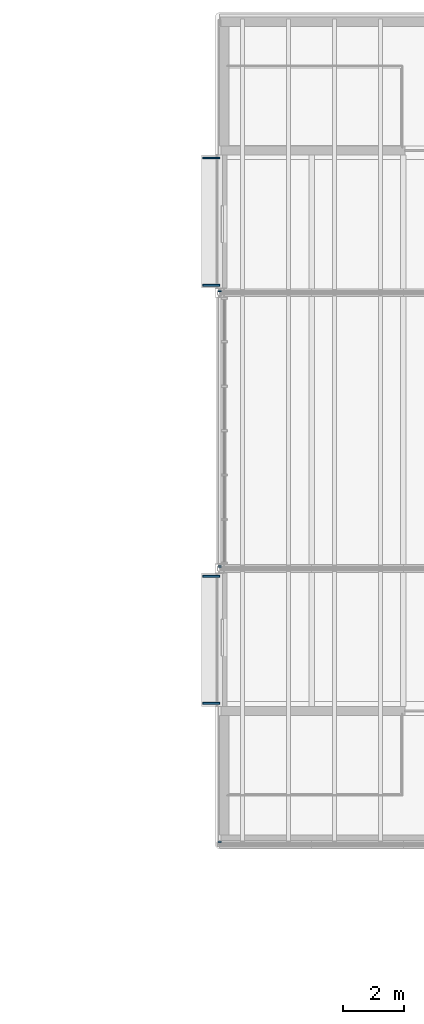
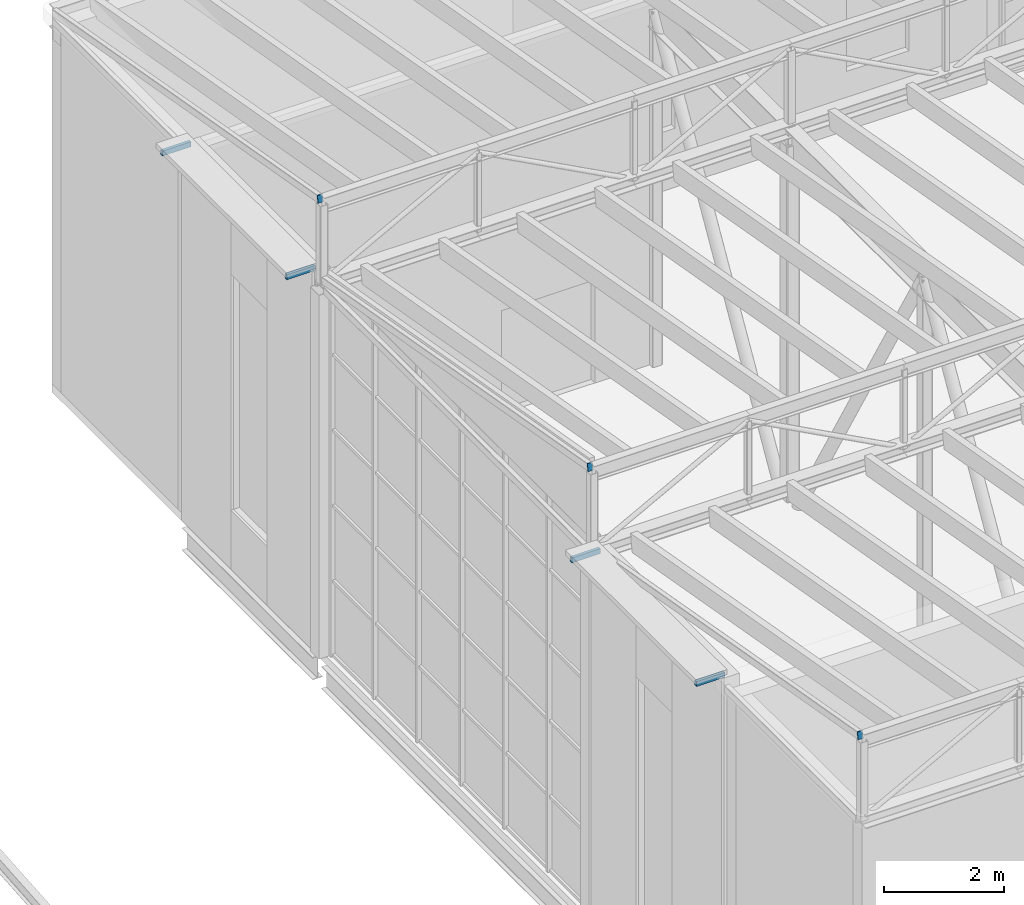
# One storey, part 78 of 90: 7 discrete accessories.
"""IFC4 building model written with IfcOpenShell, lengths in metres."""

import ifcopenshell
import ifcopenshell.guid

model = None  # the IFC model being written
_history = None  # IfcOwnerHistory: only IFC2X3 demands one
_inside = {}  # id of a spatial element -> (the spatial element, [elements in it])
_under = {}  # id of a project, library or spatial element -> (it, [spatial elements below it])
_declared = {}  # id of a project -> (the project, [libraries it declares])
_typed = {}  # id of a type object -> (the type object, [elements of that type])
_made_of = {}  # id of a material, layer set ... -> (it, [elements and type objects made of it])


def new_model(schema):
    """Start an empty IFC model of exactly this schema.

    Asked for "IFC4X3", IfcOpenShell would pick the latest addendum, in which some entities
    have other attributes; the version numbers below select the first issue.
    IFC2X3 requires an IfcOwnerHistory on every rooted entity: one is made here for all.
    """
    global model, _history
    if schema == "IFC4X3":
        model = ifcopenshell.file(schema_version=(4, 3, 0, 0))
    else:
        model = ifcopenshell.file(schema=schema)
    _inside.clear()
    _under.clear()
    _declared.clear()
    _typed.clear()
    _made_of.clear()
    _history = None
    if model.schema == "IFC2X3":
        org = make("IfcOrganization", Name="unknown")
        user = make(
            "IfcPersonAndOrganization",
            ThePerson=make("IfcPerson", FamilyName="unknown"),
            TheOrganization=org,
        )
        app = make(
            "IfcApplication",
            ApplicationDeveloper=org,
            Version="unknown",
            ApplicationFullName="unknown",
            ApplicationIdentifier="unknown",
        )
        _history = make(
            "IfcOwnerHistory",
            OwningUser=user,
            OwningApplication=app,
            ChangeAction="ADDED",
            CreationDate=0,
        )
    return model


def make(cls, **values):
    """One entity of the class cls with the attributes given. An attribute that is None is left unset."""
    return model.create_entity(
        cls, **{name: value for name, value in values.items() if value is not None}
    )


def rooted(cls, **values):
    """An entity with a GlobalId (a new one), such as an element, a storey or a relation."""
    return make(cls, GlobalId=ifcopenshell.guid.new(), OwnerHistory=_history, **values)


def si_unit(unit_type, name, prefix=None):
    """IfcSIUnit, for example si_unit("LENGTHUNIT", "METRE", prefix="MILLI")."""
    return make("IfcSIUnit", UnitType=unit_type, Prefix=prefix, Name=name)


def assignment(units):
    """IfcUnitAssignment: the units of a project."""
    return None if units is None else make("IfcUnitAssignment", Units=units)


def point(xyz):
    """IfcCartesianPoint."""
    return None if xyz is None else make("IfcCartesianPoint", Coordinates=xyz)


def direction(xyz):
    """IfcDirection."""
    return None if xyz is None else make("IfcDirection", DirectionRatios=xyz)


def frame(location, z_axis=None, x_axis=None):
    """IfcAxis2Placement3D, a coordinate frame: its origin and axes. An axis left out is left unset."""
    return make(
        "IfcAxis2Placement3D",
        Location=point(location),
        Axis=direction(z_axis),
        RefDirection=direction(x_axis),
    )


def frame_2d(location, x_axis=None):
    """IfcAxis2Placement2D, a coordinate frame in the plane: its origin and x axis."""
    return make(
        "IfcAxis2Placement2D", Location=point(location), RefDirection=direction(x_axis)
    )


def origin():
    """The frame at (0, 0, 0) with its axes left unset."""
    return frame((0.0, 0.0, 0.0))


def origin_2d():
    """The frame at (0, 0) in the plane with its x axis left unset."""
    return frame_2d((0.0, 0.0))


def place(relative_to, where):
    """IfcLocalPlacement: puts the frame where relative to a parent placement (None: the world)."""
    return make(
        "IfcLocalPlacement", PlacementRelTo=relative_to, RelativePlacement=where
    )


def context(
    kind, dimensions, precision=None, world=None, true_north=None, identifier=None
):
    """IfcGeometricRepresentationContext, for example the 3D "Model" context."""
    return make(
        "IfcGeometricRepresentationContext",
        ContextIdentifier=identifier,
        ContextType=kind,
        CoordinateSpaceDimension=dimensions,
        Precision=precision,
        WorldCoordinateSystem=world,
        TrueNorth=true_north,
    )


def subcontext(parent, identifier, kind, view, scale=None):
    """IfcGeometricRepresentationSubContext, for example "Body" below "Model"."""
    return make(
        "IfcGeometricRepresentationSubContext",
        ContextIdentifier=identifier,
        ContextType=kind,
        ParentContext=parent,
        TargetScale=scale,
        TargetView=view,
    )


def project(units=None, contexts=None):
    """IfcProject with its units and contexts."""
    return rooted(
        "IfcProject",
        Name="project",
        RepresentationContexts=contexts,
        UnitsInContext=assignment(units),
    )


def spatial(cls, under=None, at=None, **own):
    """A site, building, storey or space (cls), placed at a placement, below another one or the project."""
    s = rooted(cls, ObjectPlacement=at, **own)
    if under is not None:
        _under.setdefault(under.id(), (under, []))[1].append(s)
    return s


def profile(cls, at=None, kind="AREA", **sizes):
    """A parametric profile (cls). Its sizes go by their IFC names, for example OverallWidth=200.0."""
    return make(cls, ProfileType=kind, Position=at, **sizes)


def rectangle(**sizes):
    """IfcRectangleProfileDef."""
    return profile("IfcRectangleProfileDef", **sizes)


def extrude(swept, where, along, depth):
    """IfcExtrudedAreaSolid: the profile swept, set in the frame where, extruded along a direction by depth."""
    return make(
        "IfcExtrudedAreaSolid",
        SweptArea=swept,
        Position=where,
        ExtrudedDirection=direction(along),
        Depth=depth,
    )


def shape(context_of_items, identifier, shape_type, items):
    """IfcShapeRepresentation: the items that make up one representation, for example the "Body"."""
    return make(
        "IfcShapeRepresentation",
        ContextOfItems=context_of_items,
        RepresentationIdentifier=identifier,
        RepresentationType=shape_type,
        Items=items,
    )


def made_of(thing, what):
    """Note that an element or type object is made of a material, layer set ...; save() writes the relation."""
    if what is not None:
        _made_of.setdefault(what.id(), (what, []))[1].append(thing)
    return thing


def element(
    cls,
    number,
    at=None,
    inside=None,
    cuts=None,
    type_object=None,
    material=None,
    context=None,
    identifier="Body",
    shape_type=None,
    held_by="IfcProductDefinitionShape",
    body=None,
    shapes=None,
    **own,
):
    """One element of the class cls, such as IfcWall. Its Tag is "e" and its number.

    at: its placement. inside: the storey or other place that contains it. cuts: it is an
    opening in that element (IfcRelVoidsElement). A single representation is given by context,
    identifier, shape_type and body (its items); several are given by shapes. held_by: the class
    of the entity that holds the representations. save() writes the other relations.
    """
    e = rooted(cls, Tag="e%d" % number, ObjectPlacement=at, **own)
    if body is not None:
        shapes = [shape(context, identifier, shape_type, body)]
    if shapes is not None:
        e.Representation = make(held_by, Representations=shapes)
    if inside is not None:
        _inside.setdefault(inside.id(), (inside, []))[1].append(e)
    if cuts is not None:
        rooted(
            "IfcRelVoidsElement", RelatingBuildingElement=cuts, RelatedOpeningElement=e
        )
    if type_object is not None:
        _typed.setdefault(type_object.id(), (type_object, []))[1].append(e)
    return made_of(e, material)


def aggregate(whole, parts):
    """IfcRelAggregates: a whole, such as a stair, and the parts it consists of."""
    return rooted("IfcRelAggregates", RelatingObject=whole, RelatedObjects=parts)


def save(model, path):
    """Write the relations noted so far, then the file.

    IfcRelAggregates (storeys below a building ...), IfcRelContainedInSpatialStructure (elements
    in a storey), IfcRelDefinesByType, IfcRelAssociatesMaterial and IfcRelDeclares: one each for
    every whole, place, type object, material and project.
    """
    for whole, parts in _under.values():
        aggregate(whole, parts)
    for where, things in _inside.values():
        rooted(
            "IfcRelContainedInSpatialStructure",
            RelatedElements=things,
            RelatingStructure=where,
        )
    for kind, things in _typed.values():
        rooted("IfcRelDefinesByType", RelatedObjects=things, RelatingType=kind)
    for what, things in _made_of.values():
        rooted("IfcRelAssociatesMaterial", RelatedObjects=things, RelatingMaterial=what)
    for by, libraries in _declared.values():
        rooted("IfcRelDeclares", RelatingContext=by, RelatedDefinitions=libraries)
    model.write(path)


model = new_model("IFC4")

# Units and contexts
model_context = context("Model", 3, precision=1e-05, world=origin(), true_north=direction((0.0, 1.0)))
body_context = subcontext(model_context, "Body", "Model", "MODEL_VIEW")
ifc_project = project(units=[si_unit("LENGTHUNIT", "METRE"), si_unit("AREAUNIT", "SQUARE_METRE"), si_unit("VOLUMEUNIT", "CUBIC_METRE"), si_unit("PLANEANGLEUNIT", "RADIAN"), si_unit("MASSUNIT", "GRAM", prefix="KILO")], contexts=[model_context])

# Site, building, storey
site_placement = place(None, origin())
site = spatial("IfcSite", under=ifc_project, at=site_placement, CompositionType="ELEMENT")
building_placement = place(site_placement, origin())
building = spatial("IfcBuilding", under=site, at=building_placement, Name="Halyard Row Museum", CompositionType="ELEMENT")
storey_placement = place(building_placement, frame((0.0, 0.0, 13.39990234375)))
storey = spatial("IfcBuildingStorey", under=building, at=storey_placement, Name="L03", CompositionType="ELEMENT", Elevation=13.39990234375)

# Discrete accessories
for number, where, z_axis, x_axis, name in (
    (1, (27.0, 18.074951171875, 9.190673828125), (0.0, -0.985030467156, 0.172380331752), (1.0, 0.0, 0.0), "V1-GW1 raking rafter end plate"),
    (2, (27.0, 27.074951171875, 9.190673828125), (0.0, -0.985030467156, 0.172380331752), (1.0, 0.0, 0.0), "V1-GW2 raking rafter end plate"),
    (3, (27.0, 36.074951171875, 9.190673828125), (0.0, -0.985030467156, 0.172380331752), (1.0, 0.0, 0.0), "V1-GW3 raking rafter end plate"),
):
    element("IfcDiscreteAccessory", number, at=place(storey_placement, frame(where, z_axis=z_axis, x_axis=x_axis)), inside=storey, Name=name, PredefinedType="BRACKET", context=body_context, shape_type="SweptSolid", body=[
        extrude(rectangle(XDim=0.10009765625, YDim=0.14990234375, at=origin_2d()), origin(), (0.0, 0.0, 1.0), 0.019775390625),
    ])
for number, where, z_axis, x_axis, name in (
    (4, (26.72509765625, 40.39990234375, 7.635009765625), (0.0, 0.0, 1.0), (1.0, 0.0, 0.0), "Louvre bracket"),
    (5, (26.72509765625, 36.25, 7.635009765625), (0.0, 0.0, 1.0), (1.0, 0.0, 0.0), "Louvre bracket"),
    (6, (26.72509765625, 26.75, 7.635009765625), (0.0, 0.0, 1.0), (1.0, 0.0, 0.0), "Louvre bracket"),
    (7, (26.72509765625, 22.60009765625, 7.635009765625), (0.0, 0.0, 1.0), (1.0, 0.0, 0.0), "Louvre bracket"),
):
    element("IfcDiscreteAccessory", number, at=place(storey_placement, frame(where, z_axis=z_axis, x_axis=x_axis)), inside=storey, Name=name, PredefinedType="BRACKET", context=body_context, shape_type="SweptSolid", body=[
        extrude(rectangle(XDim=0.550048828125, YDim=0.06005859375, at=origin_2d()), origin(), (0.0, 0.0, 1.0), 0.10009765625),
    ])

save(model, "model.ifc")
